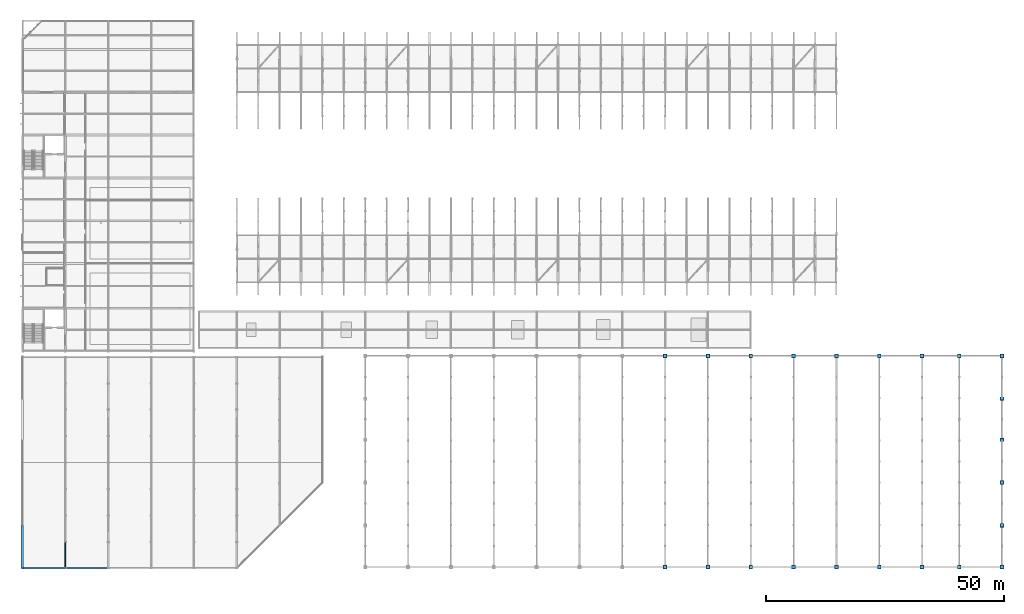
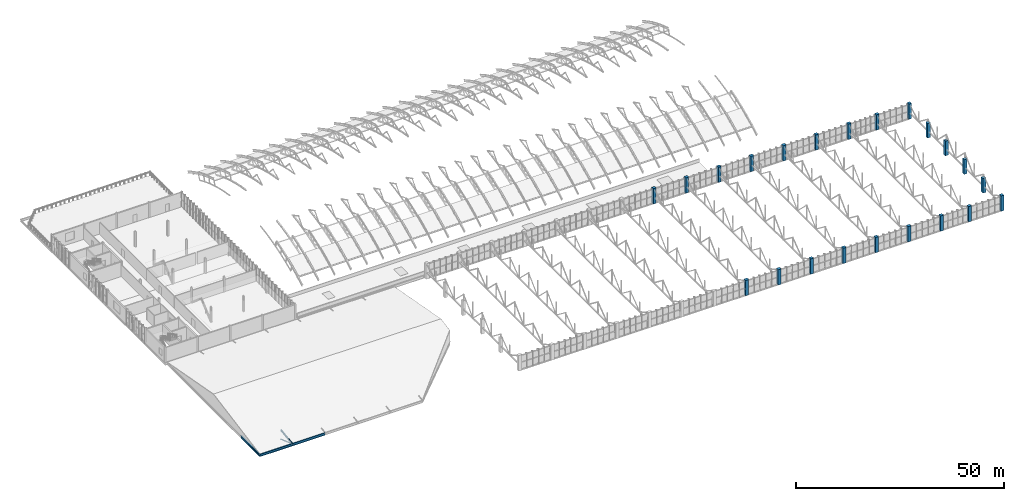
# One storey, part 4 of 103: 22 columns, 3 beams, 2 members.
"""IFC4 building model written with IfcOpenShell, lengths in metres."""

from ifc_helpers import new_model, si_unit, direction, frame, origin, origin_2d, place, context, subcontext, project, spatial, rectangle, hollow_circle, i_section, extrude, material, material_profile, profile_set, type_object, element, save


model = new_model("IFC4")

# Units and contexts
model_context = context("Model", 3, precision=1e-05, world=origin(), true_north=direction((0.0, 1.0)))
body_context = subcontext(model_context, "Body", "Model", "MODEL_VIEW")
ifc_project = project(units=[si_unit("LENGTHUNIT", "METRE"), si_unit("AREAUNIT", "SQUARE_METRE"), si_unit("VOLUMEUNIT", "CUBIC_METRE"), si_unit("PLANEANGLEUNIT", "RADIAN"), si_unit("MASSUNIT", "GRAM", prefix="KILO")], contexts=[model_context])

# Site, building, storey
site_placement = place(None, origin())
site = spatial("IfcSite", under=ifc_project, at=site_placement, CompositionType="ELEMENT")
building_placement = place(site_placement, origin())
building = spatial("IfcBuilding", under=site, at=building_placement, Name="Cazmaro Siding Exhibition Halls", CompositionType="ELEMENT")
storey_placement = place(building_placement, frame((0.0, 0.0, 16.5)))
storey = spatial("IfcBuildingStorey", under=building, at=storey_placement, Name="L03", CompositionType="ELEMENT", Elevation=16.5)

# Columns
ifc_material_1 = material(Name="Concrete f'c 45 MPa", Category="concrete")
ifc_material_profile_1 = material_profile(ifc_material_1, rectangle(XDim=0.800048828125, YDim=0.800048828125, at=origin_2d()), Name="RC800X800")
ifc_profile_set_1 = profile_set([ifc_material_profile_1], Name="Concrete f'c 45 MPa")
column_type = type_object("IfcColumnType", Name="C-08", PredefinedType="COLUMN", material=ifc_profile_set_1)
for number, where, z_axis, x_axis, name in (
    (1, (135.0, 9.25, 0.0), (0.0, 0.0, 1.0), (1.0, 0.0, 0.0), "Column C-08 COL-0608"),
    (2, (135.0, 53.60009765625, 0.0), (0.0, 0.0, 1.0), (1.0, 0.0, 0.0), "Column C-08 COL-0612"),
    (3, (144.0, 9.25, 0.0), (0.0, 0.0, 1.0), (1.0, 0.0, 0.0), "Column C-08 COL-0614"),
    (4, (144.0, 53.60009765625, 0.0), (0.0, 0.0, 1.0), (1.0, 0.0, 0.0), "Column C-08 COL-0616"),
    (5, (153.0, 9.25, 0.0), (0.0, 0.0, 1.0), (1.0, 0.0, 0.0), "Column C-08 COL-0620"),
    (6, (153.0, 53.60009765625, 0.0), (0.0, 0.0, 1.0), (1.0, 0.0, 0.0), "Column C-08 COL-0624"),
    (7, (162.0, 9.25, 0.0), (0.0, 0.0, 1.0), (1.0, 0.0, 0.0), "Column C-08 COL-0626"),
    (8, (162.0, 53.60009765625, 0.0), (0.0, 0.0, 1.0), (1.0, 0.0, 0.0), "Column C-08 COL-0628"),
    (9, (171.0, 9.25, 0.0), (0.0, 0.0, 1.0), (1.0, 0.0, 0.0), "Column C-08 COL-0632"),
    (10, (171.0, 53.60009765625, 0.0), (0.0, 0.0, 1.0), (1.0, 0.0, 0.0), "Column C-08 COL-0636"),
    (11, (180.0, 9.25, 0.0), (0.0, 0.0, 1.0), (1.0, 0.0, 0.0), "Column C-08 COL-0638"),
    (12, (180.0, 53.60009765625, 0.0), (0.0, 0.0, 1.0), (1.0, 0.0, 0.0), "Column C-08 COL-0640"),
    (13, (189.0, 9.25, 0.0), (0.0, 0.0, 1.0), (1.0, 0.0, 0.0), "Column C-08 COL-0644"),
    (14, (189.0, 53.60009765625, 0.0), (0.0, 0.0, 1.0), (1.0, 0.0, 0.0), "Column C-08 COL-0648"),
    (15, (196.800048828125, 9.25, 0.0), (0.0, 0.0, 1.0), (1.0, 0.0, 0.0), "Column C-08 COL-0650"),
    (16, (196.800048828125, 53.60009765625, 0.0), (0.0, 0.0, 1.0), (1.0, 0.0, 0.0), "Column C-08 COL-0652"),
    (17, (205.800048828125, 9.25, 0.0), (0.0, 0.0, 1.0), (1.0, 0.0, 0.0), "Column C-08 COL-0654"),
    (18, (205.800048828125, 53.60009765625, 0.0), (0.0, 0.0, 1.0), (1.0, 0.0, 0.0), "Column C-08 COL-0656"),
):
    element("IfcColumn", number, at=place(storey_placement, frame(where, z_axis=z_axis, x_axis=x_axis)), inside=storey, type_object=column_type, Name=name, PredefinedType="COLUMN", context=body_context, shape_type="SweptSolid", body=[
        extrude(rectangle(XDim=0.800048828125, YDim=0.800048828125, at=origin_2d()), origin(), (0.0, 0.0, 1.0), 4.5),
    ])
for number, where, z_axis, x_axis, name in (
    (19, (205.800048828125, 18.0, 0.0), (0.0, 0.0, 1.0), (1.0, 0.0, 0.0), "Column C-08 COL-0670"),
    (20, (205.800048828125, 27.0, 0.0), (0.0, 0.0, 1.0), (1.0, 0.0, 0.0), "Column C-08 COL-0672"),
    (21, (205.800048828125, 36.0, 0.0), (0.0, 0.0, 1.0), (1.0, 0.0, 0.0), "Column C-08 COL-0674"),
    (22, (205.800048828125, 44.60009765625, 0.0), (0.0, 0.0, 1.0), (1.0, 0.0, 0.0), "Column C-08 COL-0676"),
):
    element("IfcColumn", number, at=place(storey_placement, frame(where, z_axis=z_axis, x_axis=x_axis)), inside=storey, type_object=column_type, Name=name, PredefinedType="COLUMN", context=body_context, shape_type="SweptSolid", body=[
        extrude(rectangle(XDim=0.800048828125, YDim=0.800048828125, at=origin_2d()), origin(), (0.0, 0.0, 1.0), 4.300048828125),
    ])

# Beams
ifc_material_2 = material(Name="Steel ASTM A992 Grade 50", Category="steel")
ifc_material_profile_2 = material_profile(ifc_material_2, i_section(OverallWidth=0.35595703125, OverallDepth=0.696044921875, WebThickness=0.014892578125, FlangeThickness=0.02490234375, at=origin_2d()), Name="W27X146")
ifc_profile_set_2 = profile_set([ifc_material_profile_2], Name="Steel ASTM A992 Grade 50")
beam_type = type_object("IfcBeamType", Name="G-05", PredefinedType="USERDEFINED", material=ifc_profile_set_2)
for number, where, z_axis, x_axis, name in (
    (23, (0.0, 9.0, 0.35205078125), (1.0, 0.0, 0.0), (0.0, 1.0, 0.0), "Beam G-05 BM-1729"),
    (24, (9.0, 9.0, 0.35205078125), (1.0, 0.0, 0.0), (0.0, 1.0, 0.0), "Beam G-05 BM-1731"),
    (25, (0.0, 18.0, 0.35205078125), (0.0, -1.0, 0.0), (1.0, 0.0, 0.0), "Beam G-05 BM-1771"),
):
    element("IfcBeam", number, at=place(storey_placement, frame(where, z_axis=z_axis, x_axis=x_axis)), inside=storey, type_object=beam_type, Name=name, ObjectType="GIRDER", PredefinedType="USERDEFINED", context=body_context, shape_type="SweptSolid", body=[
        extrude(i_section(OverallWidth=0.35595703125, OverallDepth=0.696044921875, WebThickness=0.014892578125, FlangeThickness=0.02490234375, at=origin_2d()), origin(), (0.0, 0.0, 1.0), 9.0),
    ])

# Members
ifc_material_3 = material(Name="Steel ASTM A992 Grade 50", Category="steel")
ifc_material_profile_3 = material_profile(ifc_material_3, i_section(OverallWidth=0.214111328125, OverallDepth=0.549072265625, WebThickness=0.014892578125, FlangeThickness=0.02392578125, at=origin_2d()), Name="W21X93")
ifc_profile_set_3 = profile_set([ifc_material_profile_3], Name="Steel ASTM A992 Grade 50")
member_type_1 = type_object("IfcMemberType", Name="TC-04", PredefinedType="CHORD", material=ifc_profile_set_3)
member_1_placement = place(storey_placement, frame((9.0, 9.0, 0.5), z_axis=(0.0, 0.990267557209, 0.139176740654), x_axis=(-1.0, 0.0, 0.0)))
element("IfcMember", 26, at=member_1_placement, inside=storey, type_object=member_type_1, Name="Congress folded roof top chord TC-04 MEM-3244", PredefinedType="CHORD", context=body_context, shape_type="SweptSolid", body=[
    extrude(i_section(OverallWidth=0.214111328125, OverallDepth=0.549072265625, WebThickness=0.014892578125, FlangeThickness=0.02392578125, at=origin_2d()), origin(), (0.0, 0.0, 1.0), 5.6044921875),
])
ifc_material_4 = material(Name="Steel ASTM A500 Grade C", Category="steel")
ifc_material_profile_4 = material_profile(ifc_material_4, hollow_circle(Radius=0.162109375, WallThickness=0.012939453125, at=origin_2d()), Name="PIPE12XS")
ifc_profile_set_4 = profile_set([ifc_material_profile_4], Name="Steel ASTM A500 Grade C")
member_type_2 = type_object("IfcMemberType", Name="WB-03", PredefinedType="BRACE", material=ifc_profile_set_4)
member_2_placement = place(storey_placement, frame((9.0, 9.0, 0.5), z_axis=(0.0, 0.943463647565, -0.331476010782), x_axis=(-1.0, 0.0, 0.0)))
element("IfcMember", 27, at=member_2_placement, inside=storey, type_object=member_type_2, Name="Congress roof diagonal WB-03 MEM-3246", PredefinedType="BRACE", context=body_context, shape_type="SweptSolid", body=[
    extrude(hollow_circle(Radius=0.162109375, WallThickness=0.012939453125, at=origin_2d()), origin(), (0.0, 0.0, 1.0), 5.882568359375),
])

save(model, "model.ifc")
